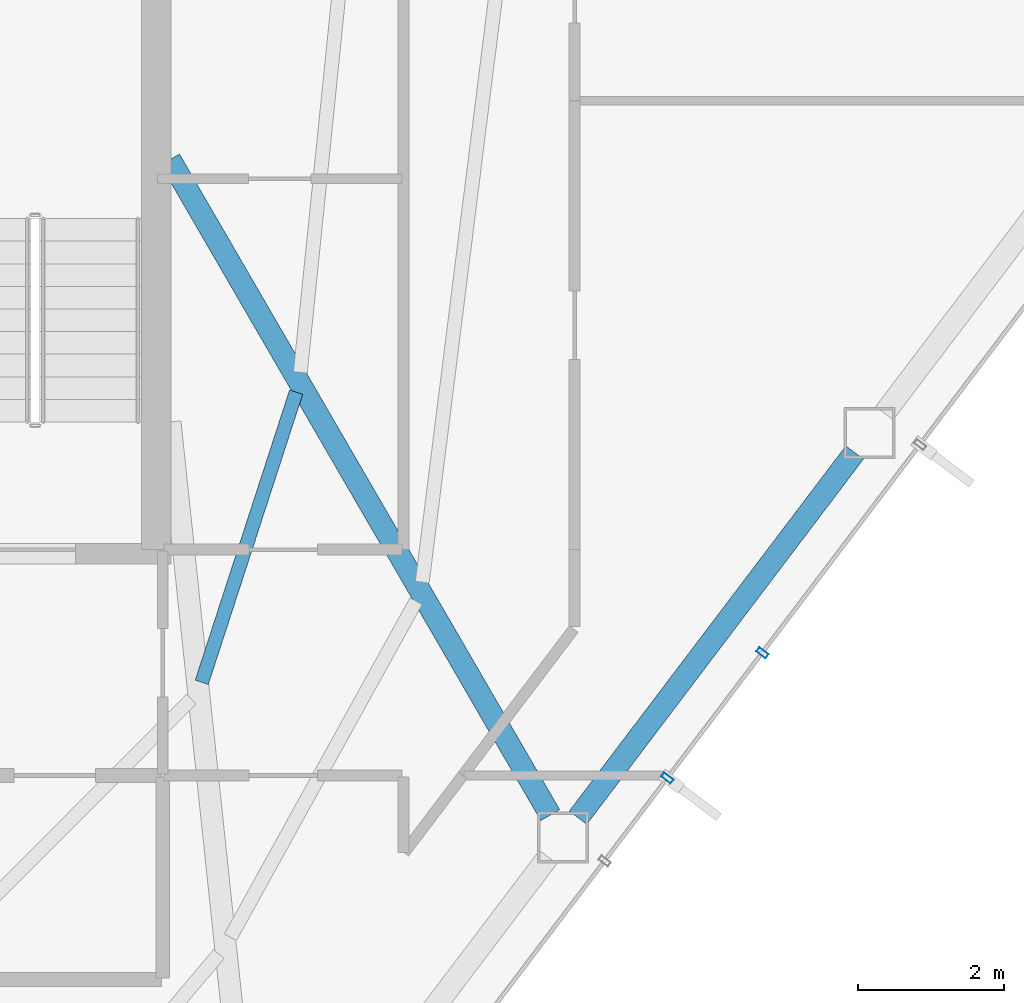
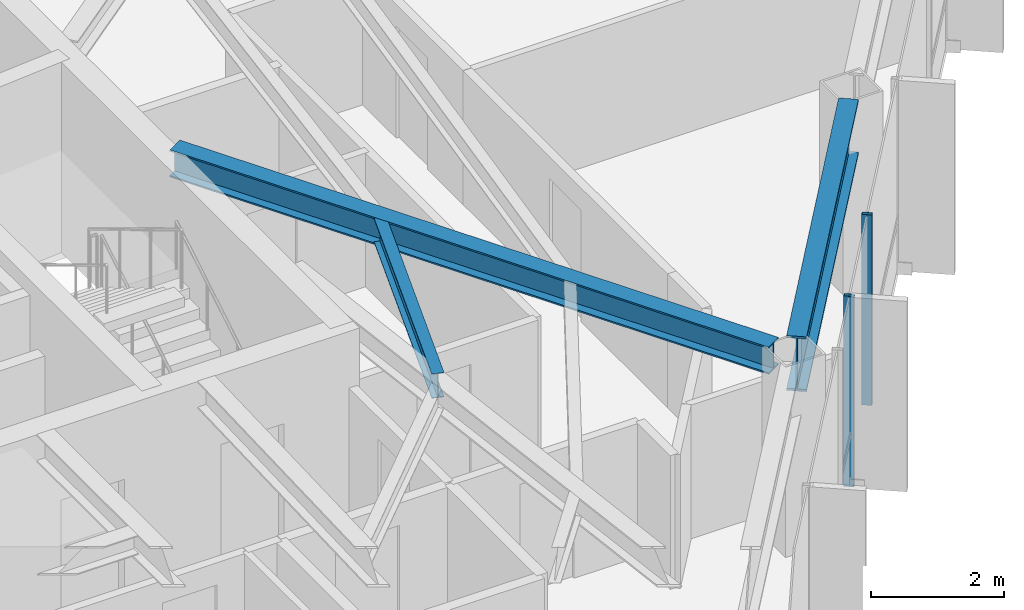
# One storey, part 18 of 27: 3 beams, 2 members, 1 element without a shape of its own.
"""IFC4 building model written with IfcOpenShell, lengths in metres."""

import ifcopenshell
import ifcopenshell.guid

model = None  # the IFC model being written
_history = None  # IfcOwnerHistory: only IFC2X3 demands one
_inside = {}  # id of a spatial element -> (the spatial element, [elements in it])
_under = {}  # id of a project, library or spatial element -> (it, [spatial elements below it])
_declared = {}  # id of a project -> (the project, [libraries it declares])
_typed = {}  # id of a type object -> (the type object, [elements of that type])
_made_of = {}  # id of a material, layer set ... -> (it, [elements and type objects made of it])


def new_model(schema):
    """Start an empty IFC model of exactly this schema.

    Asked for "IFC4X3", IfcOpenShell would pick the latest addendum, in which some entities
    have other attributes; the version numbers below select the first issue.
    IFC2X3 requires an IfcOwnerHistory on every rooted entity: one is made here for all.
    """
    global model, _history
    if schema == "IFC4X3":
        model = ifcopenshell.file(schema_version=(4, 3, 0, 0))
    else:
        model = ifcopenshell.file(schema=schema)
    _inside.clear()
    _under.clear()
    _declared.clear()
    _typed.clear()
    _made_of.clear()
    _history = None
    if model.schema == "IFC2X3":
        org = make("IfcOrganization", Name="unknown")
        user = make(
            "IfcPersonAndOrganization",
            ThePerson=make("IfcPerson", FamilyName="unknown"),
            TheOrganization=org,
        )
        app = make(
            "IfcApplication",
            ApplicationDeveloper=org,
            Version="unknown",
            ApplicationFullName="unknown",
            ApplicationIdentifier="unknown",
        )
        _history = make(
            "IfcOwnerHistory",
            OwningUser=user,
            OwningApplication=app,
            ChangeAction="ADDED",
            CreationDate=0,
        )
    return model


def make(cls, **values):
    """One entity of the class cls with the attributes given. An attribute that is None is left unset."""
    return model.create_entity(
        cls, **{name: value for name, value in values.items() if value is not None}
    )


def rooted(cls, **values):
    """An entity with a GlobalId (a new one), such as an element, a storey or a relation."""
    return make(cls, GlobalId=ifcopenshell.guid.new(), OwnerHistory=_history, **values)


def si_unit(unit_type, name, prefix=None):
    """IfcSIUnit, for example si_unit("LENGTHUNIT", "METRE", prefix="MILLI")."""
    return make("IfcSIUnit", UnitType=unit_type, Prefix=prefix, Name=name)


def assignment(units):
    """IfcUnitAssignment: the units of a project."""
    return None if units is None else make("IfcUnitAssignment", Units=units)


def point(xyz):
    """IfcCartesianPoint."""
    return None if xyz is None else make("IfcCartesianPoint", Coordinates=xyz)


def direction(xyz):
    """IfcDirection."""
    return None if xyz is None else make("IfcDirection", DirectionRatios=xyz)


def frame(location, z_axis=None, x_axis=None):
    """IfcAxis2Placement3D, a coordinate frame: its origin and axes. An axis left out is left unset."""
    return make(
        "IfcAxis2Placement3D",
        Location=point(location),
        Axis=direction(z_axis),
        RefDirection=direction(x_axis),
    )


def frame_2d(location, x_axis=None):
    """IfcAxis2Placement2D, a coordinate frame in the plane: its origin and x axis."""
    return make(
        "IfcAxis2Placement2D", Location=point(location), RefDirection=direction(x_axis)
    )


def origin():
    """The frame at (0, 0, 0) with its axes left unset."""
    return frame((0.0, 0.0, 0.0))


def origin_2d():
    """The frame at (0, 0) in the plane with its x axis left unset."""
    return frame_2d((0.0, 0.0))


def place(relative_to, where):
    """IfcLocalPlacement: puts the frame where relative to a parent placement (None: the world)."""
    return make(
        "IfcLocalPlacement", PlacementRelTo=relative_to, RelativePlacement=where
    )


def context(
    kind, dimensions, precision=None, world=None, true_north=None, identifier=None
):
    """IfcGeometricRepresentationContext, for example the 3D "Model" context."""
    return make(
        "IfcGeometricRepresentationContext",
        ContextIdentifier=identifier,
        ContextType=kind,
        CoordinateSpaceDimension=dimensions,
        Precision=precision,
        WorldCoordinateSystem=world,
        TrueNorth=true_north,
    )


def subcontext(parent, identifier, kind, view, scale=None):
    """IfcGeometricRepresentationSubContext, for example "Body" below "Model"."""
    return make(
        "IfcGeometricRepresentationSubContext",
        ContextIdentifier=identifier,
        ContextType=kind,
        ParentContext=parent,
        TargetScale=scale,
        TargetView=view,
    )


def project(units=None, contexts=None):
    """IfcProject with its units and contexts."""
    return rooted(
        "IfcProject",
        Name="project",
        RepresentationContexts=contexts,
        UnitsInContext=assignment(units),
    )


def spatial(cls, under=None, at=None, **own):
    """A site, building, storey or space (cls), placed at a placement, below another one or the project."""
    s = rooted(cls, ObjectPlacement=at, **own)
    if under is not None:
        _under.setdefault(under.id(), (under, []))[1].append(s)
    return s


def profile(cls, at=None, kind="AREA", **sizes):
    """A parametric profile (cls). Its sizes go by their IFC names, for example OverallWidth=200.0."""
    return make(cls, ProfileType=kind, Position=at, **sizes)


def hollow_rectangle(**sizes):
    """IfcRectangleHollowProfileDef."""
    return profile("IfcRectangleHollowProfileDef", **sizes)


def i_section(**sizes):
    """IfcIShapeProfileDef."""
    return profile("IfcIShapeProfileDef", **sizes)


def extrude(swept, where, along, depth):
    """IfcExtrudedAreaSolid: the profile swept, set in the frame where, extruded along a direction by depth."""
    return make(
        "IfcExtrudedAreaSolid",
        SweptArea=swept,
        Position=where,
        ExtrudedDirection=direction(along),
        Depth=depth,
    )


def shape(context_of_items, identifier, shape_type, items):
    """IfcShapeRepresentation: the items that make up one representation, for example the "Body"."""
    return make(
        "IfcShapeRepresentation",
        ContextOfItems=context_of_items,
        RepresentationIdentifier=identifier,
        RepresentationType=shape_type,
        Items=items,
    )


def material(Name=None, Category=None):
    """IfcMaterial."""
    return make("IfcMaterial", Name=Name, Category=Category)


def layer(
    of_material, thickness, ventilated=None, Name=None, Category=None, Priority=None
):
    """IfcMaterialLayer: one layer of a wall or slab, of a material (None: an air gap)."""
    return make(
        "IfcMaterialLayer",
        Material=of_material,
        LayerThickness=thickness,
        IsVentilated=ventilated,
        Name=Name,
        Category=Category,
        Priority=Priority,
    )


def layer_set(layers, Name=None):
    """IfcMaterialLayerSet."""
    return make("IfcMaterialLayerSet", MaterialLayers=layers, LayerSetName=Name)


def material_profile(
    of_material, cross_section, Name=None, Category=None, Priority=None
):
    """IfcMaterialProfile: a cross section and its material."""
    return make(
        "IfcMaterialProfile",
        Name=Name,
        Material=of_material,
        Profile=cross_section,
        Priority=Priority,
        Category=Category,
    )


def profile_set(profiles, Name=None, composite=None):
    """IfcMaterialProfileSet."""
    return make(
        "IfcMaterialProfileSet",
        Name=Name,
        MaterialProfiles=profiles,
        CompositeProfile=composite,
    )


def made_of(thing, what):
    """Note that an element or type object is made of a material, layer set ...; save() writes the relation."""
    if what is not None:
        _made_of.setdefault(what.id(), (what, []))[1].append(thing)
    return thing


def type_object(cls, material=None, **own):
    """A type object (cls), such as IfcWallType, which elements share."""
    return made_of(rooted(cls, **own), material)


def element(
    cls,
    number,
    at=None,
    inside=None,
    cuts=None,
    type_object=None,
    material=None,
    context=None,
    identifier="Body",
    shape_type=None,
    held_by="IfcProductDefinitionShape",
    body=None,
    shapes=None,
    **own,
):
    """One element of the class cls, such as IfcWall. Its Tag is "e" and its number.

    at: its placement. inside: the storey or other place that contains it. cuts: it is an
    opening in that element (IfcRelVoidsElement). A single representation is given by context,
    identifier, shape_type and body (its items); several are given by shapes. held_by: the class
    of the entity that holds the representations. save() writes the other relations.
    """
    e = rooted(cls, Tag="e%d" % number, ObjectPlacement=at, **own)
    if body is not None:
        shapes = [shape(context, identifier, shape_type, body)]
    if shapes is not None:
        e.Representation = make(held_by, Representations=shapes)
    if inside is not None:
        _inside.setdefault(inside.id(), (inside, []))[1].append(e)
    if cuts is not None:
        rooted(
            "IfcRelVoidsElement", RelatingBuildingElement=cuts, RelatedOpeningElement=e
        )
    if type_object is not None:
        _typed.setdefault(type_object.id(), (type_object, []))[1].append(e)
    return made_of(e, material)


def aggregate(whole, parts):
    """IfcRelAggregates: a whole, such as a stair, and the parts it consists of."""
    return rooted("IfcRelAggregates", RelatingObject=whole, RelatedObjects=parts)


def save(model, path):
    """Write the relations noted so far, then the file.

    IfcRelAggregates (storeys below a building ...), IfcRelContainedInSpatialStructure (elements
    in a storey), IfcRelDefinesByType, IfcRelAssociatesMaterial and IfcRelDeclares: one each for
    every whole, place, type object, material and project.
    """
    for whole, parts in _under.values():
        aggregate(whole, parts)
    for where, things in _inside.values():
        rooted(
            "IfcRelContainedInSpatialStructure",
            RelatedElements=things,
            RelatingStructure=where,
        )
    for kind, things in _typed.values():
        rooted("IfcRelDefinesByType", RelatedObjects=things, RelatingType=kind)
    for what, things in _made_of.values():
        rooted("IfcRelAssociatesMaterial", RelatedObjects=things, RelatingMaterial=what)
    for by, libraries in _declared.values():
        rooted("IfcRelDeclares", RelatingContext=by, RelatedDefinitions=libraries)
    model.write(path)


model = new_model("IFC4")

# Units and contexts
model_context = context("Model", 3, precision=1e-05, world=origin(), true_north=direction((0.0, 1.0)))
body_context = subcontext(model_context, "Body", "Model", "MODEL_VIEW")
ifc_project = project(units=[si_unit("LENGTHUNIT", "METRE"), si_unit("AREAUNIT", "SQUARE_METRE"), si_unit("VOLUMEUNIT", "CUBIC_METRE"), si_unit("PLANEANGLEUNIT", "RADIAN"), si_unit("MASSUNIT", "GRAM", prefix="KILO")], contexts=[model_context])

# Site, building, storey
site_placement = place(None, origin())
site = spatial("IfcSite", under=ifc_project, at=site_placement, CompositionType="ELEMENT")
building_placement = place(site_placement, origin())
building = spatial("IfcBuilding", under=site, at=building_placement, Name="Zarrinselat Tower", CompositionType="ELEMENT")
storey_placement = place(building_placement, frame((0.0, 0.0, 179.52001953125)))
storey = spatial("IfcBuildingStorey", under=building, at=storey_placement, Name="L44", CompositionType="ELEMENT", Elevation=179.52001953125)

# Beams
ifc_material_1 = material(Name="Steel S355J2", Category="steel")
ifc_material_profile_1 = material_profile(ifc_material_1, i_section(OverallWidth=0.300048828125, OverallDepth=0.5, WebThickness=0.014404296875, FlangeThickness=0.028076171875, at=origin_2d()), Name="HEB 500")
ifc_profile_set_1 = profile_set([ifc_material_profile_1], Name="Steel S355J2")
beam_type_1 = type_object("IfcBeamType", Name="BM-HEB500", PredefinedType="BEAM", material=ifc_profile_set_1)
beam_1_placement = place(storey_placement, frame((48.449951171875, 38.60009765625, 3.25), z_axis=(0.501674861783, -0.865056260052, 0.0), x_axis=(0.865056260052, 0.501674861783, 0.0)))
element("IfcBeam", 1, at=beam_1_placement, inside=storey, type_object=beam_type_1, Name="L44 Radial Primary Girder RG13", PredefinedType="BEAM", context=body_context, shape_type="SweptSolid", body=[
    extrude(i_section(OverallWidth=0.300048828125, OverallDepth=0.5, WebThickness=0.014404296875, FlangeThickness=0.028076171875, at=origin_2d()), origin(), (0.0, 0.0, 1.0), 10.396240234375),
])
ifc_material_2 = material(Name="Steel S460M", Category="steel")
ifc_material_profile_2 = material_profile(ifc_material_2, i_section(OverallWidth=0.302001953125, OverallDepth=1.008056640625, WebThickness=0.02099609375, FlangeThickness=0.0400390625, at=origin_2d()), Name="HEM 1000")
ifc_profile_set_2 = profile_set([ifc_material_profile_2], Name="Steel S460M")
beam_type_2 = type_object("IfcBeamType", Name="BM-HEM1000", PredefinedType="BEAM", material=ifc_profile_set_2)
beam_2_placement = place(storey_placement, frame((54.046142578125, 29.571533203125, 2.99609375), z_axis=(0.603846469555, 0.797100646849, 0.0), x_axis=(-0.797100646849, 0.603846469555, 0.0)))
element("IfcBeam", 2, at=beam_2_placement, inside=storey, type_object=beam_type_2, Name="L44 Perimeter Spandrel Girder SP13", PredefinedType="BEAM", context=body_context, shape_type="SweptSolid", body=[
    extrude(i_section(OverallWidth=0.302001953125, OverallDepth=1.008056640625, WebThickness=0.02099609375, FlangeThickness=0.0400390625, at=origin_2d()), origin(), (0.0, 0.0, 1.0), 6.284912109375),
])
ifc_material_3 = material(Name="Steel S355J2", Category="steel")
ifc_material_profile_3 = material_profile(ifc_material_3, i_section(OverallWidth=0.18994140625, OverallDepth=0.449951171875, WebThickness=0.009521484375, FlangeThickness=0.0146484375, at=origin_2d()), Name="IPE 450")
ifc_profile_set_3 = profile_set([ifc_material_profile_3], Name="Steel S355J2")
beam_type_3 = type_object("IfcBeamType", Name="BM-IPE450", PredefinedType="JOIST", material=ifc_profile_set_3)
beam_3_placement = place(storey_placement, frame((48.885009765625, 31.428466796875, 3.27490234375), z_axis=(0.309343221299, 0.950950456878, 0.0), x_axis=(-0.950950456878, 0.309343221299, 0.0)))
element("IfcBeam", 3, at=beam_3_placement, inside=storey, type_object=beam_type_3, Name="L44 Composite Floor Joist 4-2", PredefinedType="JOIST", context=body_context, shape_type="SweptSolid", body=[
    extrude(i_section(OverallWidth=0.18994140625, OverallDepth=0.449951171875, WebThickness=0.009521484375, FlangeThickness=0.0146484375, at=origin_2d()), origin(), (0.0, 0.0, 1.0), 4.18603515625),
])

# Curtain wall, members
ifc_material_4 = material(Name="Extruded Aluminium Alloy EN AW-6063 T6", Category="aluminium")
ifc_layer = layer(ifc_material_4, 0.175048828125)
ifc_layer_set = layer_set([ifc_layer], Name="Extruded Aluminium Alloy EN AW-6063 T6")
curtain_wall_type = type_object("IfcCurtainWallType", Name="CWS-HTL", PredefinedType="NOTDEFINED", material=ifc_layer_set)
curtain_wall_placement = place(storey_placement, origin())
curtain_wall = element("IfcCurtainWall", 4, at=curtain_wall_placement, inside=storey, type_object=curtain_wall_type, Name="L44 Unitised Curtain Wall CW-L44-E05", PredefinedType="NOTDEFINED")
ifc_material_5 = material(Name="Extruded Aluminium Alloy EN AW-6063 T6", Category="aluminium")
ifc_material_profile_4 = material_profile(ifc_material_5, hollow_rectangle(XDim=0.070068359375, YDim=0.159912109375, WallThickness=0.00390625, at=origin_2d()), Name="RHS 160x70x4")
ifc_profile_set_4 = profile_set([ifc_material_profile_4], Name="Extruded Aluminium Alloy EN AW-6063 T6")
member_type = type_object("IfcMemberType", Name="MEM-CW-MUL2", PredefinedType="MULLION", material=ifc_profile_set_4)
member_1_placement = place(storey_placement, frame((55.2724609375, 30.11376953125, 0.0), z_axis=(0.0, 0.0, 1.0), x_axis=(0.603859165965, 0.797091028478, 0.0)))
member_1 = element("IfcMember", 5, at=member_1_placement, type_object=member_type, Name="CW-L44-E05 Mullion 5", PredefinedType="MULLION", context=body_context, shape_type="SweptSolid", body=[
    extrude(hollow_rectangle(XDim=0.070068359375, YDim=0.159912109375, WallThickness=0.00390625, at=origin_2d()), origin(), (0.0, 0.0, 1.0), 3.5),
])
member_2_placement = place(storey_placement, frame((56.57470703125, 31.83251953125, 0.0), z_axis=(0.0, 0.0, 1.0), x_axis=(0.603859165965, 0.797091028478, 0.0)))
member_2 = element("IfcMember", 6, at=member_2_placement, type_object=member_type, Name="CW-L44-E05 Mullion 6", PredefinedType="MULLION", context=body_context, shape_type="SweptSolid", body=[
    extrude(hollow_rectangle(XDim=0.070068359375, YDim=0.159912109375, WallThickness=0.00390625, at=origin_2d()), origin(), (0.0, 0.0, 1.0), 3.5),
])
aggregate(curtain_wall, [member_1, member_2])

save(model, "model.ifc")
